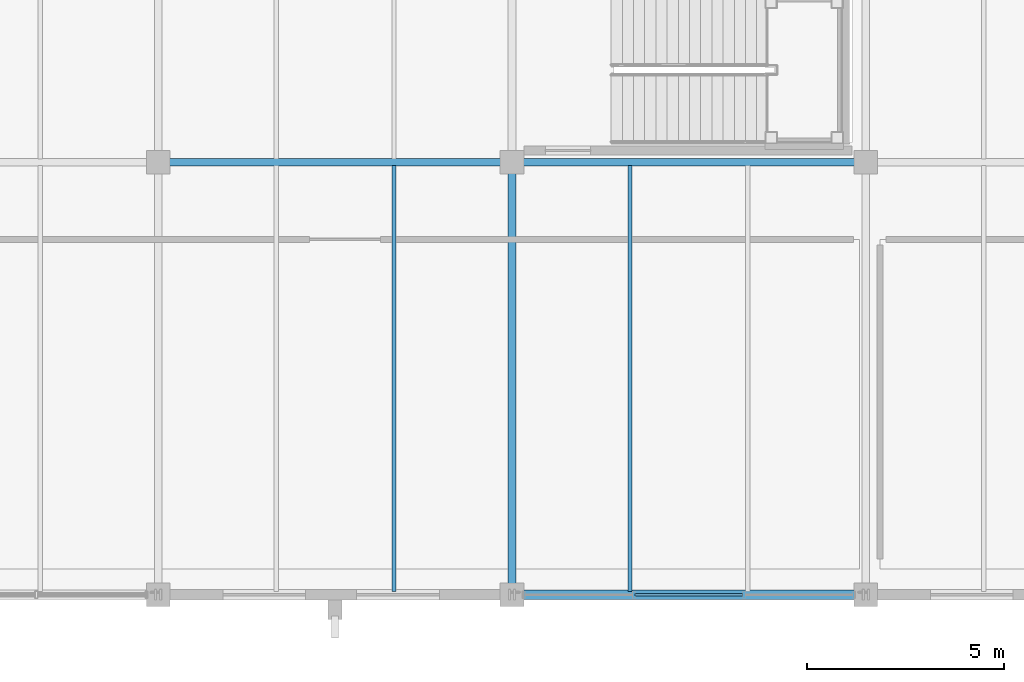
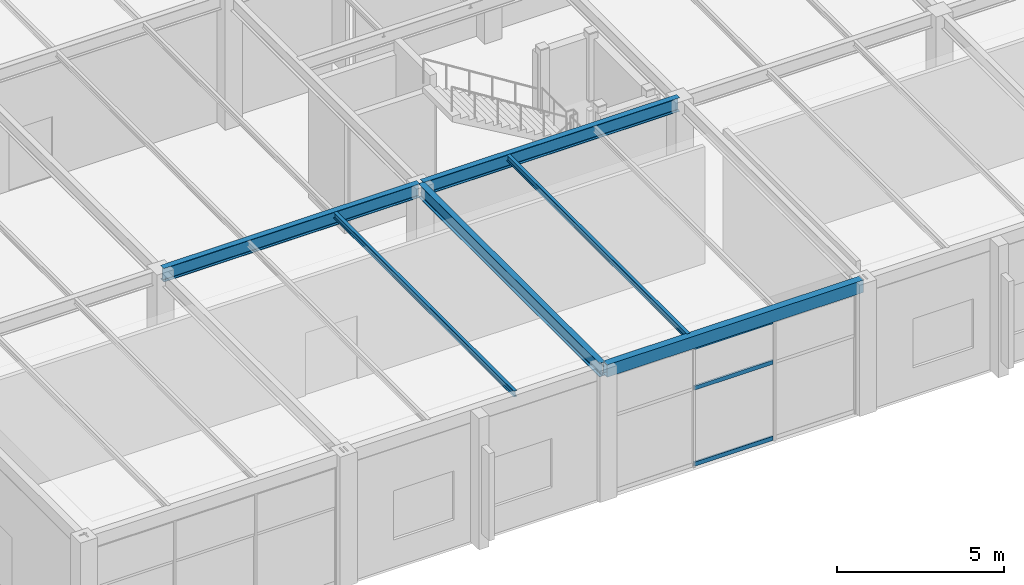
# One storey, part 54 of 143: 6 beams, 3 members, 1 element without a shape of its own.
"""IFC4 building model written with IfcOpenShell, lengths in metres."""

from ifc_helpers import new_model, si_unit, direction, frame, origin, origin_2d, place, context, subcontext, project, spatial, hollow_rectangle, i_section, extrude, material, layer, layer_set, material_profile, profile_set, type_object, element, aggregate, save


model = new_model("IFC4")

# Units and contexts
model_context = context("Model", 3, precision=1e-05, world=origin(), true_north=direction((0.0, 1.0)))
body_context = subcontext(model_context, "Body", "Model", "MODEL_VIEW")
ifc_project = project(units=[si_unit("LENGTHUNIT", "METRE"), si_unit("AREAUNIT", "SQUARE_METRE"), si_unit("VOLUMEUNIT", "CUBIC_METRE"), si_unit("PLANEANGLEUNIT", "RADIAN"), si_unit("MASSUNIT", "GRAM", prefix="KILO")], contexts=[model_context])

# Site, building, storey
site_placement = place(None, origin())
site = spatial("IfcSite", under=ifc_project, at=site_placement, CompositionType="ELEMENT")
building_placement = place(site_placement, origin())
building = spatial("IfcBuilding", under=site, at=building_placement, Name="Marlcrest Central Station", CompositionType="ELEMENT")
storey_placement = place(building_placement, frame((0.0, 0.0, 4.800048828125)))
storey = spatial("IfcBuildingStorey", under=building, at=storey_placement, Name="L01", CompositionType="ELEMENT", Elevation=4.800048828125)

# Beams
ifc_material_1 = material(Name="Steel S355", Category="steel")
ifc_material_profile_1 = material_profile(ifc_material_1, i_section(OverallWidth=0.199951171875, OverallDepth=0.5, WebThickness=0.01025390625, FlangeThickness=0.01611328125, FilletRadius=0.02099609375, at=origin_2d()), Name="IPE 500")
ifc_profile_set_1 = profile_set([ifc_material_profile_1], Name="Steel S355")
beam_type_1 = type_object("IfcBeamType", Name="BM-05", PredefinedType="BEAM", material=ifc_profile_set_1)
for number, where, z_axis, x_axis, name in (
    (1, (162.06005859375, 11.0, 4.56494140625), (1.0, 0.0, 0.0), (0.0, 1.0, 0.0), "bm-BM-05-L01-00867"),
    (2, (171.06005859375, 11.0, 4.56494140625), (1.0, 0.0, 0.0), (0.0, 1.0, 0.0), "bm-BM-05-L01-00868"),
):
    element("IfcBeam", number, at=place(storey_placement, frame(where, z_axis=z_axis, x_axis=x_axis)), inside=storey, type_object=beam_type_1, Name=name, PredefinedType="BEAM", context=body_context, shape_type="SweptSolid", body=[
        extrude(i_section(OverallWidth=0.199951171875, OverallDepth=0.5, WebThickness=0.01025390625, FlangeThickness=0.01611328125, FilletRadius=0.02099609375, at=origin_2d()), origin(), (0.0, 0.0, 1.0), 8.8798828125),
    ])
beam_1_placement = place(storey_placement, frame((171.0, 0.06005859375, 4.56494140625), z_axis=(0.0, 1.0, 0.0), x_axis=(-1.0, 0.0, 0.0)))
element("IfcBeam", 3, at=beam_1_placement, inside=storey, type_object=beam_type_1, Name="bm-BM-05-L01-00893", PredefinedType="BEAM", context=body_context, shape_type="SweptSolid", body=[
    extrude(i_section(OverallWidth=0.199951171875, OverallDepth=0.5, WebThickness=0.01025390625, FlangeThickness=0.01611328125, FilletRadius=0.02099609375, at=origin_2d()), origin(), (0.0, 0.0, 1.0), 10.8798828125),
])
ifc_material_profile_2 = material_profile(ifc_material_1, i_section(OverallWidth=0.110107421875, OverallDepth=0.219970703125, WebThickness=0.005859375, FlangeThickness=0.00927734375, FilletRadius=0.011962890625, at=origin_2d()), Name="IPE 220")
ifc_profile_set_2 = profile_set([ifc_material_profile_2], Name="Steel S355")
beam_type_2 = type_object("IfcBeamType", Name="JS-02", PredefinedType="JOIST", material=ifc_profile_set_2)
for number, where, z_axis, x_axis, name in (
    (4, (168.0, 0.0830078125, 4.704833984375), (0.0, 1.0, 0.0), (-1.0, 0.0, 0.0), "bm-JS-02-L01-00920"),
    (5, (174.0, 0.0830078125, 4.704833984375), (0.0, 1.0, 0.0), (-1.0, 0.0, 0.0), "bm-JS-02-L01-00923"),
):
    element("IfcBeam", number, at=place(storey_placement, frame(where, z_axis=z_axis, x_axis=x_axis)), inside=storey, type_object=beam_type_2, Name=name, PredefinedType="JOIST", context=body_context, shape_type="SweptSolid", body=[
        extrude(i_section(OverallWidth=0.110107421875, OverallDepth=0.219970703125, WebThickness=0.005859375, FlangeThickness=0.00927734375, FilletRadius=0.011962890625, at=origin_2d()), origin(), (0.0, 0.0, 1.0), 10.833984375),
    ])
ifc_material_profile_3 = material_profile(ifc_material_1, hollow_rectangle(XDim=0.25, YDim=0.449951171875, WallThickness=0.01611328125, at=origin_2d()), Name="RHS 450x250x16")
ifc_profile_set_3 = profile_set([ifc_material_profile_3], Name="Steel S355")
beam_type_3 = type_object("IfcBeamType", Name="SP-02", PredefinedType="SPANDREL", material=ifc_profile_set_3)
beam_2_placement = place(storey_placement, frame((171.06005859375, 0.0, 4.58984375), z_axis=(1.0, 0.0, 0.0), x_axis=(0.0, 1.0, 0.0)))
element("IfcBeam", 6, at=beam_2_placement, inside=storey, type_object=beam_type_3, Name="bm-SP-02-L01-00861", PredefinedType="SPANDREL", context=body_context, shape_type="SweptSolid", body=[
    extrude(hollow_rectangle(XDim=0.25, YDim=0.449951171875, WallThickness=0.01611328125, at=origin_2d()), origin(), (0.0, 0.0, 1.0), 8.8798828125),
])

# Curtain wall, members
ifc_material_2 = material(Name="Anodised aluminium and hurricane laminated glass", Category="aluminium")
ifc_layer = layer(ifc_material_2, 0.179931640625, Name="CW-S1")
ifc_layer_set = layer_set([ifc_layer], Name="Anodised aluminium and hurricane laminated glass")
curtain_wall_type = type_object("IfcCurtainWallType", Name="CW-S1", PredefinedType="USERDEFINED", material=ifc_layer_set)
curtain_wall_placement = place(storey_placement, origin())
curtain_wall = element("IfcCurtainWall", 7, at=curtain_wall_placement, inside=storey, type_object=curtain_wall_type, Name="cw-L01-0150", ObjectType="STICK_CURTAIN_WALL", PredefinedType="USERDEFINED")
ifc_material_3 = material(Name="Anodised aluminium 6063-T6", Category="aluminium")
ifc_material_profile_4 = material_profile(ifc_material_3, hollow_rectangle(XDim=0.06005859375, YDim=0.14990234375, WallThickness=0.00390625, at=origin_2d()), Name="AA-RHS 150x60x4")
ifc_profile_set_4 = profile_set([ifc_material_profile_4], Name="Anodised aluminium 6063-T6")
member_type = type_object("IfcMemberType", Name="TR-01", PredefinedType="USERDEFINED", material=ifc_profile_set_4)
member_1_placement = place(storey_placement, frame((176.866943359375, 0.0, 0.0400390625), z_axis=(-1.0, 0.0, 0.0), x_axis=(0.0, -1.0, 0.0)))
member_1 = element("IfcMember", 8, at=member_1_placement, type_object=member_type, Name="cw-L01-0150-tr-1-sill", ObjectType="TRANSOM", PredefinedType="USERDEFINED", context=body_context, shape_type="SweptSolid", body=[
    extrude(hollow_rectangle(XDim=0.06005859375, YDim=0.14990234375, WallThickness=0.00390625, at=origin_2d()), origin(), (0.0, 0.0, 1.0), 2.73388671875),
])
member_2_placement = place(storey_placement, frame((176.866943359375, 0.0, 2.827880859375), z_axis=(-1.0, 0.0, 0.0), x_axis=(0.0, -1.0, 0.0)))
member_2 = element("IfcMember", 9, at=member_2_placement, type_object=member_type, Name="cw-L01-0150-tr-1-mid", ObjectType="TRANSOM", PredefinedType="USERDEFINED", context=body_context, shape_type="SweptSolid", body=[
    extrude(hollow_rectangle(XDim=0.06005859375, YDim=0.14990234375, WallThickness=0.00390625, at=origin_2d()), origin(), (0.0, 0.0, 1.0), 2.73388671875),
])
member_3_placement = place(storey_placement, frame((176.866943359375, 0.0, 4.31005859375), z_axis=(-1.0, 0.0, 0.0), x_axis=(0.0, -1.0, 0.0)))
member_3 = element("IfcMember", 10, at=member_3_placement, type_object=member_type, Name="cw-L01-0150-tr-1-head", ObjectType="TRANSOM", PredefinedType="USERDEFINED", context=body_context, shape_type="SweptSolid", body=[
    extrude(hollow_rectangle(XDim=0.06005859375, YDim=0.14990234375, WallThickness=0.00390625, at=origin_2d()), origin(), (0.0, 0.0, 1.0), 2.73388671875),
])
aggregate(curtain_wall, [member_1, member_2, member_3])

save(model, "model.ifc")
